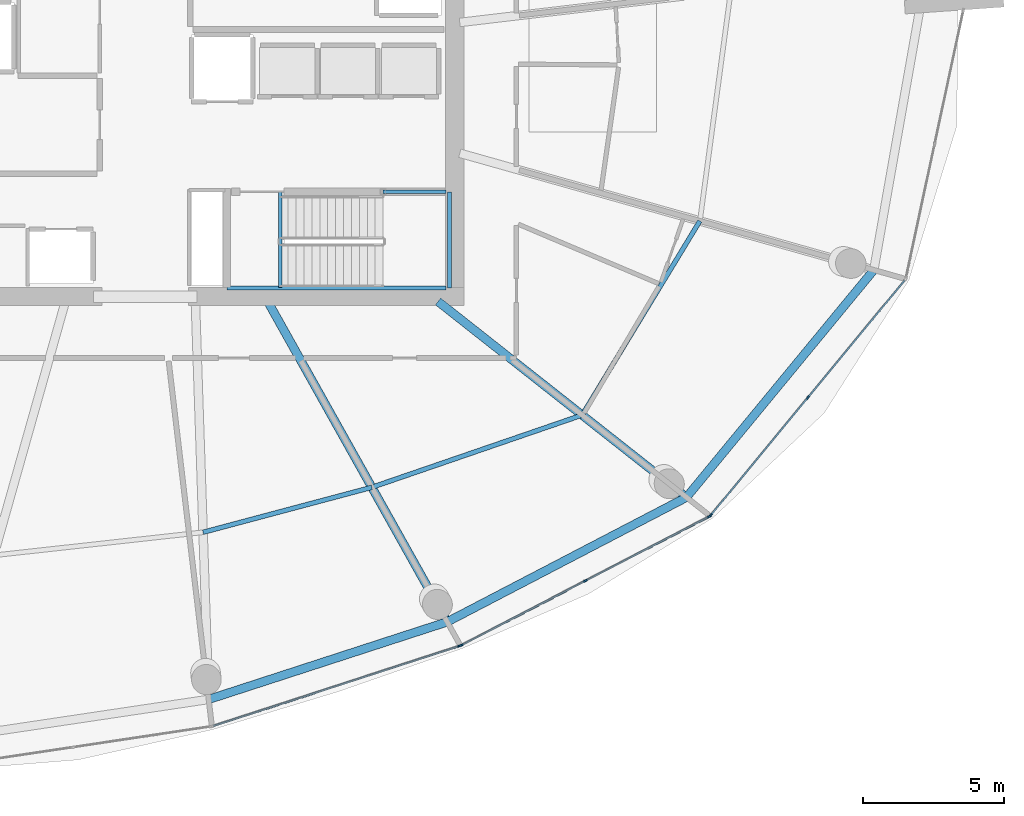
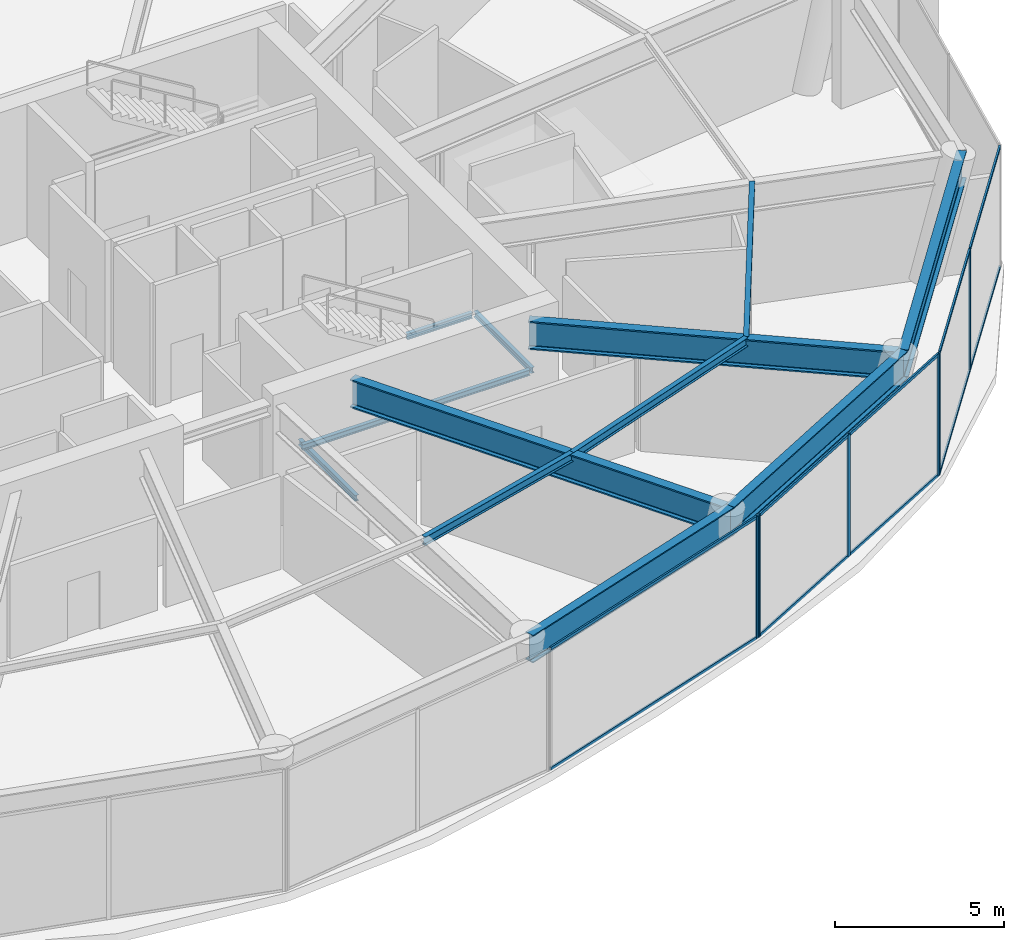
# One storey, part 9 of 22: 16 members, 12 beams, 3 elements without a shape of their own.
"""IFC4 building model written with IfcOpenShell, lengths in metres."""

from ifc_helpers import new_model, si_unit, direction, frame, origin, origin_2d, place, context, subcontext, project, spatial, rectangle, i_section, extrude, material, layer, layer_set, material_profile, profile_set, type_object, element, aggregate, save


model = new_model("IFC4")

# Units and contexts
model_context = context("Model", 3, precision=1e-05, world=origin(), true_north=direction((0.0, 1.0)))
body_context = subcontext(model_context, "Body", "Model", "MODEL_VIEW")
ifc_project = project(units=[si_unit("LENGTHUNIT", "METRE"), si_unit("AREAUNIT", "SQUARE_METRE"), si_unit("VOLUMEUNIT", "CUBIC_METRE"), si_unit("PLANEANGLEUNIT", "RADIAN"), si_unit("MASSUNIT", "GRAM", prefix="KILO")], contexts=[model_context])

# Site, building, storey
site_placement = place(None, origin())
site = spatial("IfcSite", under=ifc_project, at=site_placement, CompositionType="ELEMENT")
building_placement = place(site_placement, origin())
building = spatial("IfcBuilding", under=site, at=building_placement, Name="Kazma Halo Residences", CompositionType="ELEMENT")
storey_placement = place(building_placement, frame((0.0, 0.0, 231.89990234375)))
storey = spatial("IfcBuildingStorey", under=building, at=storey_placement, Name="L58", CompositionType="ELEMENT", Elevation=231.89990234375)

# Beams
ifc_material_1 = material(Name="Steel S355", Category="steel")
ifc_material_profile_1 = material_profile(ifc_material_1, i_section(OverallWidth=0.1650390625, OverallDepth=0.31005859375, WebThickness=0.005859375, FlangeThickness=0.009765625, FilletRadius=0.011962890625, at=origin_2d()), Name="W310x38.7")
ifc_profile_set_1 = profile_set([ifc_material_profile_1], Name="Steel S355")
beam_type_1 = type_object("IfcBeamType", Name="BM-SEC-W310B", PredefinedType="JOIST", material=ifc_profile_set_1)
beam_1_placement = place(storey_placement, frame((50.473388671875, 25.3388671875, 4.2451171875), z_axis=(0.966299872642, 0.257419028304, 0.0), x_axis=(-0.257419028304, 0.966299872642, 0.0)))
element("IfcBeam", 1, at=beam_1_placement, inside=storey, type_object=beam_type_1, Name="L58 circumferential floor joist 12", PredefinedType="JOIST", context=body_context, shape_type="SweptSolid", body=[
    extrude(i_section(OverallWidth=0.1650390625, OverallDepth=0.31005859375, WebThickness=0.005859375, FlangeThickness=0.009765625, FilletRadius=0.011962890625, at=origin_2d()), origin(), (0.0, 0.0, 1.0), 6.175048828125),
])
beam_2_placement = place(storey_placement, frame((56.4404296875, 26.928466796875, 4.2451171875), z_axis=(0.945730736093, 0.324951342218, 0.0), x_axis=(-0.324951342218, 0.945730736093, 0.0)))
element("IfcBeam", 2, at=beam_2_placement, inside=storey, type_object=beam_type_1, Name="L58 circumferential floor joist 13", PredefinedType="JOIST", context=body_context, shape_type="SweptSolid", body=[
    extrude(i_section(OverallWidth=0.1650390625, OverallDepth=0.31005859375, WebThickness=0.005859375, FlangeThickness=0.009765625, FilletRadius=0.011962890625, at=origin_2d()), origin(), (0.0, 0.0, 1.0), 7.86328125),
])
beam_3_placement = place(storey_placement, frame((63.876953125, 29.483642578125, 4.2451171875), z_axis=(0.518737680109, 0.854933458952, 0.0), x_axis=(-0.854933458952, 0.518737680109, 0.0)))
element("IfcBeam", 3, at=beam_3_placement, inside=storey, type_object=beam_type_1, Name="L58 circumferential floor joist 14", PredefinedType="JOIST", context=body_context, shape_type="SweptSolid", body=[
    extrude(i_section(OverallWidth=0.1650390625, OverallDepth=0.31005859375, WebThickness=0.005859375, FlangeThickness=0.009765625, FilletRadius=0.011962890625, at=origin_2d()), origin(), (0.0, 0.0, 1.0), 8.02880859375),
])
ifc_material_profile_2 = material_profile(ifc_material_1, i_section(OverallWidth=0.302001953125, OverallDepth=1.01806640625, WebThickness=0.021484375, FlangeThickness=0.049072265625, FilletRadius=0.028076171875, at=origin_2d()), Name="W1000x443")
ifc_profile_set_2 = profile_set([ifc_material_profile_2], Name="Steel S355")
beam_type_2 = type_object("IfcBeamType", Name="BM-TRANS-W1000A", PredefinedType="BEAM", material=ifc_profile_set_2)
beam_4_placement = place(storey_placement, frame((52.76025390625, 33.5, 3.89111328125), z_axis=(0.488617108357, -0.872498321729, 0.0), x_axis=(0.872498321729, 0.488617108357, 0.0)))
element("IfcBeam", 4, at=beam_4_placement, inside=storey, type_object=beam_type_2, Name="L58 podium radial transfer girder 13", PredefinedType="BEAM", context=body_context, shape_type="SweptSolid", body=[
    extrude(i_section(OverallWidth=0.302001953125, OverallDepth=1.01806640625, WebThickness=0.021484375, FlangeThickness=0.049072265625, FilletRadius=0.028076171875, at=origin_2d()), origin(), (0.0, 0.0, 1.0), 12.986083984375),
])
beam_5_placement = place(storey_placement, frame((58.7822265625, 33.5, 3.89111328125), z_axis=(0.785312225311, -0.61909991825, 0.0), x_axis=(0.61909991825, 0.785312225311, 0.0)))
element("IfcBeam", 5, at=beam_5_placement, inside=storey, type_object=beam_type_2, Name="L58 podium radial transfer girder 14", PredefinedType="BEAM", context=body_context, shape_type="SweptSolid", body=[
    extrude(i_section(OverallWidth=0.302001953125, OverallDepth=1.01806640625, WebThickness=0.021484375, FlangeThickness=0.049072265625, FilletRadius=0.028076171875, at=origin_2d()), origin(), (0.0, 0.0, 1.0), 11.185302734375),
])
ifc_material_profile_3 = material_profile(ifc_material_1, i_section(OverallWidth=0.300048828125, OverallDepth=1.0, WebThickness=0.01904296875, FlangeThickness=0.0400390625, FilletRadius=0.02587890625, at=origin_2d()), Name="W1000x371")
ifc_profile_set_3 = profile_set([ifc_material_profile_3], Name="Steel S355")
beam_type_3 = type_object("IfcBeamType", Name="BM-TRANS-W1000B", PredefinedType="BEAM", material=ifc_profile_set_3)
beam_6_placement = place(storey_placement, frame((50.67138671875, 19.42919921875, 3.900146484375), z_axis=(0.951053893407, 0.309025066679, 0.0), x_axis=(-0.309025066679, 0.951053893407, 0.0)))
element("IfcBeam", 6, at=beam_6_placement, inside=storey, type_object=beam_type_3, Name="L58 perimeter ring beam 12", PredefinedType="BEAM", context=body_context, shape_type="SweptSolid", body=[
    extrude(i_section(OverallWidth=0.300048828125, OverallDepth=1.0, WebThickness=0.01904296875, FlangeThickness=0.0400390625, FilletRadius=0.02587890625, at=origin_2d()), origin(), (0.0, 0.0, 1.0), 8.8681640625),
])
beam_7_placement = place(storey_placement, frame((59.10546875, 22.169677734375, 3.900146484375), z_axis=(0.886961047115, 0.461844238788, 0.0), x_axis=(-0.461844238788, 0.886961047115, 0.0)))
element("IfcBeam", 7, at=beam_7_placement, inside=storey, type_object=beam_type_3, Name="L58 perimeter ring beam 13", PredefinedType="BEAM", context=body_context, shape_type="SweptSolid", body=[
    extrude(i_section(OverallWidth=0.300048828125, OverallDepth=1.0, WebThickness=0.01904296875, FlangeThickness=0.0400390625, FilletRadius=0.02587890625, at=origin_2d()), origin(), (0.0, 0.0, 1.0), 9.5390625),
])
beam_8_placement = place(storey_placement, frame((67.566162109375, 26.5751953125, 3.900146484375), z_axis=(0.636002144225, 0.771687289348, 0.0), x_axis=(-0.771687289348, 0.636002144225, 0.0)))
element("IfcBeam", 8, at=beam_8_placement, inside=storey, type_object=beam_type_3, Name="L58 perimeter ring beam 14", PredefinedType="BEAM", context=body_context, shape_type="SweptSolid", body=[
    extrude(i_section(OverallWidth=0.300048828125, OverallDepth=1.0, WebThickness=0.01904296875, FlangeThickness=0.0400390625, FilletRadius=0.02587890625, at=origin_2d()), origin(), (0.0, 0.0, 1.0), 10.416259765625),
])
ifc_material_profile_4 = material_profile(ifc_material_1, i_section(OverallWidth=0.133056640625, OverallDepth=0.20703125, WebThickness=0.005859375, FlangeThickness=0.00830078125, FilletRadius=0.010009765625, at=origin_2d()), Name="W200x26.6")
ifc_profile_set_4 = profile_set([ifc_material_profile_4], Name="Steel S355")
beam_type_4 = type_object("IfcBeamType", Name="BM-TRIM-W200", PredefinedType="BEAM", material=ifc_profile_set_4)
beam_9_placement = place(storey_placement, frame((53.199951171875, 34.0, -0.429931640625), z_axis=(0.0, 1.0, 0.0), x_axis=(-1.0, 0.0, 0.0)))
element("IfcBeam", 9, at=beam_9_placement, inside=storey, type_object=beam_type_4, Name="L58 ST-03 floor landing support beam", PredefinedType="BEAM", context=body_context, shape_type="SweptSolid", body=[
    extrude(i_section(OverallWidth=0.133056640625, OverallDepth=0.20703125, WebThickness=0.005859375, FlangeThickness=0.00830078125, FilletRadius=0.010009765625, at=origin_2d()), origin(), (0.0, 0.0, 1.0), 3.3798828125),
])
beam_10_placement = place(storey_placement, frame((51.31005859375, 33.97998046875, 2.09521484375), z_axis=(1.0, 0.0, 0.0), x_axis=(0.0, 1.0, 0.0)))
element("IfcBeam", 10, at=beam_10_placement, inside=storey, type_object=beam_type_4, Name="L58 ST-03 landing south wall ledger", PredefinedType="BEAM", context=body_context, shape_type="SweptSolid", body=[
    extrude(i_section(OverallWidth=0.133056640625, OverallDepth=0.20703125, WebThickness=0.005859375, FlangeThickness=0.00830078125, FilletRadius=0.010009765625, at=origin_2d()), origin(), (0.0, 0.0, 1.0), 7.760009765625),
])
beam_11_placement = place(storey_placement, frame((56.840087890625, 37.3798828125, 2.09521484375), z_axis=(1.0, 0.0, 0.0), x_axis=(0.0, 1.0, 0.0)))
element("IfcBeam", 11, at=beam_11_placement, inside=storey, type_object=beam_type_4, Name="L58 ST-03 landing north wall ledger", PredefinedType="BEAM", context=body_context, shape_type="SweptSolid", body=[
    extrude(i_section(OverallWidth=0.133056640625, OverallDepth=0.20703125, WebThickness=0.005859375, FlangeThickness=0.00830078125, FilletRadius=0.010009765625, at=origin_2d()), origin(), (0.0, 0.0, 1.0), 2.22998046875),
])
beam_12_placement = place(storey_placement, frame((59.18994140625, 33.97998046875, 2.09521484375), z_axis=(0.0, 1.0, 0.0), x_axis=(-1.0, 0.0, 0.0)))
element("IfcBeam", 12, at=beam_12_placement, inside=storey, type_object=beam_type_4, Name="L58 ST-03 landing end wall ledger", PredefinedType="BEAM", context=body_context, shape_type="SweptSolid", body=[
    extrude(i_section(OverallWidth=0.133056640625, OverallDepth=0.20703125, WebThickness=0.005859375, FlangeThickness=0.00830078125, FilletRadius=0.010009765625, at=origin_2d()), origin(), (0.0, 0.0, 1.0), 3.39990234375),
])

# Curtain wall, member
ifc_material_2 = material(Name="Aluminium AW-6063 T6 and Triple-Silver Low-E Glass", Category="aluminium")
ifc_layer = layer(ifc_material_2, 0.139892578125)
ifc_layer_set = layer_set([ifc_layer], Name="Aluminium AW-6063 T6 and Triple-Silver Low-E Glass")
curtain_wall_type = type_object("IfcCurtainWallType", Name="CW-SYS-5", PredefinedType="NOTDEFINED", material=ifc_layer_set)
curtain_wall_1_placement = place(storey_placement, origin())
curtain_wall_1 = element("IfcCurtainWall", 13, at=curtain_wall_1_placement, inside=storey, type_object=curtain_wall_type, Name="L58 unitised curtain wall B12", PredefinedType="NOTDEFINED")
ifc_material_3 = material(Name="Aluminium AW-6063 T6", Category="aluminium")
ifc_material_profile_5 = material_profile(ifc_material_3, rectangle(XDim=0.06005859375, YDim=0.139892578125, at=origin_2d()), Name="CWM-60x140")
ifc_profile_set_5 = profile_set([ifc_material_profile_5], Name="Aluminium AW-6063 T6")
member_type_1 = type_object("IfcMemberType", Name="CW-SYS-5-MUL", PredefinedType="MULLION", material=ifc_profile_set_5)
member_1_placement = place(storey_placement, frame((59.546875, 21.3212890625, 0.0), z_axis=(0.0, 0.0, 1.0), x_axis=(-0.309020023006, 0.951055532228, 0.0)))
member_1 = element("IfcMember", 14, at=member_1_placement, type_object=member_type_1, Name="CWS-5 mullion 2", PredefinedType="MULLION", context=body_context, shape_type="SweptSolid", body=[
    extrude(rectangle(XDim=0.06005859375, YDim=0.139892578125, at=origin_2d()), origin(), (0.0, 0.0, 1.0), 4.400146484375),
])

# Curtain wall, members
curtain_wall_2_placement = place(storey_placement, origin())
curtain_wall_2 = element("IfcCurtainWall", 15, at=curtain_wall_2_placement, inside=storey, type_object=curtain_wall_type, Name="L58 unitised curtain wall B13", PredefinedType="NOTDEFINED")
member_2_placement = place(storey_placement, frame((59.60205078125, 21.34423828125, 0.0), z_axis=(0.0, 0.0, 1.0), x_axis=(-0.460917138163, 0.88744317663, 0.0)))
member_2 = element("IfcMember", 16, at=member_2_placement, type_object=member_type_1, Name="CWS-5 mullion 1", PredefinedType="MULLION", context=body_context, shape_type="SweptSolid", body=[
    extrude(rectangle(XDim=0.06005859375, YDim=0.139892578125, at=origin_2d()), origin(), (0.0, 0.0, 1.0), 4.400146484375),
])
member_3_placement = place(storey_placement, frame((63.9892578125, 23.623046875, 0.0), z_axis=(0.0, 0.0, 1.0), x_axis=(-0.460917138163, 0.88744317663, 0.0)))
member_3 = element("IfcMember", 17, at=member_3_placement, type_object=member_type_1, Name="CWS-5 mullion 2", PredefinedType="MULLION", context=body_context, shape_type="SweptSolid", body=[
    extrude(rectangle(XDim=0.06005859375, YDim=0.139892578125, at=origin_2d()), origin(), (0.0, 0.0, 1.0), 4.400146484375),
])
member_4_placement = place(storey_placement, frame((68.37646484375, 25.901611328125, 0.0), z_axis=(0.0, 0.0, 1.0), x_axis=(-0.460917138163, 0.88744317663, 0.0)))
member_4 = element("IfcMember", 18, at=member_4_placement, type_object=member_type_1, Name="CWS-5 mullion 3", PredefinedType="MULLION", context=body_context, shape_type="SweptSolid", body=[
    extrude(rectangle(XDim=0.06005859375, YDim=0.139892578125, at=origin_2d()), origin(), (0.0, 0.0, 1.0), 4.400146484375),
])

curtain_wall_3_placement = place(storey_placement, origin())
curtain_wall_3 = element("IfcCurtainWall", 19, at=curtain_wall_3_placement, inside=storey, type_object=curtain_wall_type, Name="L58 unitised curtain wall B14", PredefinedType="NOTDEFINED")
member_5_placement = place(storey_placement, frame((68.42236328125, 25.9384765625, 0.0), z_axis=(0.0, 0.0, 1.0), x_axis=(-0.77109198952, 0.636723757762, 0.0)))
member_5 = element("IfcMember", 20, at=member_5_placement, type_object=member_type_1, Name="CWS-5 mullion 1", PredefinedType="MULLION", context=body_context, shape_type="SweptSolid", body=[
    extrude(rectangle(XDim=0.06005859375, YDim=0.139892578125, at=origin_2d()), origin(), (0.0, 0.0, 1.0), 4.400146484375),
])
member_6_placement = place(storey_placement, frame((71.862548828125, 30.10498046875, 0.0), z_axis=(0.0, 0.0, 1.0), x_axis=(-0.77109198952, 0.636723757762, 0.0)))
member_6 = element("IfcMember", 21, at=member_6_placement, type_object=member_type_1, Name="CWS-5 mullion 2", PredefinedType="MULLION", context=body_context, shape_type="SweptSolid", body=[
    extrude(rectangle(XDim=0.06005859375, YDim=0.139892578125, at=origin_2d()), origin(), (0.0, 0.0, 1.0), 4.400146484375),
])

# Member
ifc_material_profile_6 = material_profile(ifc_material_3, rectangle(XDim=0.06005859375, YDim=0.10498046875, at=origin_2d()), Name="CWT-60x105")
ifc_profile_set_6 = profile_set([ifc_material_profile_6], Name="Aluminium AW-6063 T6")
member_type_2 = type_object("IfcMemberType", Name="CW-SYS-5-TRN", PredefinedType="USERDEFINED", material=ifc_profile_set_6)
member_7_placement = place(storey_placement, frame((50.841552734375, 18.49267578125, 0.030029296875), z_axis=(0.951056287628, 0.309017698138, 0.0), x_axis=(-0.309017698138, 0.951056287628, 0.0)))
member_7 = element("IfcMember", 22, at=member_7_placement, type_object=member_type_2, Name="CWS-5 transom 1.1", ObjectType="TRANSOM", PredefinedType="USERDEFINED", context=body_context, shape_type="SweptSolid", body=[
    extrude(rectangle(XDim=0.06005859375, YDim=0.10498046875, at=origin_2d()), origin(), (0.0, 0.0, 1.0), 9.12353515625),
])

member_8_placement = place(storey_placement, frame((50.841552734375, 18.49267578125, 4.3701171875), z_axis=(0.951056287628, 0.309017698138, 0.0), x_axis=(-0.309017698138, 0.951056287628, 0.0)))
member_8 = element("IfcMember", 23, at=member_8_placement, type_object=member_type_2, Name="CWS-5 transom 1.2", ObjectType="TRANSOM", PredefinedType="USERDEFINED", context=body_context, shape_type="SweptSolid", body=[
    extrude(rectangle(XDim=0.06005859375, YDim=0.10498046875, at=origin_2d()), origin(), (0.0, 0.0, 1.0), 9.12353515625),
])

aggregate(curtain_wall_1, [member_1, member_7, member_8])

member_9_placement = place(storey_placement, frame((59.628662109375, 21.358154296875, 0.030029296875), z_axis=(0.88744259939, 0.460918249571, 0.0), x_axis=(-0.460918249571, 0.88744259939, 0.0)))
member_9 = element("IfcMember", 24, at=member_9_placement, type_object=member_type_2, Name="CWS-5 transom 1.1", ObjectType="TRANSOM", PredefinedType="USERDEFINED", context=body_context, shape_type="SweptSolid", body=[
    extrude(rectangle(XDim=0.06005859375, YDim=0.10498046875, at=origin_2d()), origin(), (0.0, 0.0, 1.0), 4.8837890625),
])

member_10_placement = place(storey_placement, frame((59.628662109375, 21.358154296875, 4.3701171875), z_axis=(0.88744259939, 0.460918249571, 0.0), x_axis=(-0.460918249571, 0.88744259939, 0.0)))
member_10 = element("IfcMember", 25, at=member_10_placement, type_object=member_type_2, Name="CWS-5 transom 1.2", ObjectType="TRANSOM", PredefinedType="USERDEFINED", context=body_context, shape_type="SweptSolid", body=[
    extrude(rectangle(XDim=0.06005859375, YDim=0.10498046875, at=origin_2d()), origin(), (0.0, 0.0, 1.0), 4.8837890625),
])

member_11_placement = place(storey_placement, frame((64.015869140625, 23.63671875, 0.030029296875), z_axis=(0.88744259939, 0.460918249571, 0.0), x_axis=(-0.460918249571, 0.88744259939, 0.0)))
member_11 = element("IfcMember", 26, at=member_11_placement, type_object=member_type_2, Name="CWS-5 transom 2.1", ObjectType="TRANSOM", PredefinedType="USERDEFINED", context=body_context, shape_type="SweptSolid", body=[
    extrude(rectangle(XDim=0.06005859375, YDim=0.10498046875, at=origin_2d()), origin(), (0.0, 0.0, 1.0), 4.8837890625),
])

member_12_placement = place(storey_placement, frame((64.015869140625, 23.63671875, 4.3701171875), z_axis=(0.88744259939, 0.460918249571, 0.0), x_axis=(-0.460918249571, 0.88744259939, 0.0)))
member_12 = element("IfcMember", 27, at=member_12_placement, type_object=member_type_2, Name="CWS-5 transom 2.2", ObjectType="TRANSOM", PredefinedType="USERDEFINED", context=body_context, shape_type="SweptSolid", body=[
    extrude(rectangle(XDim=0.06005859375, YDim=0.10498046875, at=origin_2d()), origin(), (0.0, 0.0, 1.0), 4.8837890625),
])

aggregate(curtain_wall_2, [member_2, member_3, member_4, member_9, member_10, member_11, member_12])

member_13_placement = place(storey_placement, frame((68.44140625, 25.961669921875, 0.030029296875), z_axis=(0.636717300924, 0.771097321162, 0.0), x_axis=(-0.771097321162, 0.636717300924, 0.0)))
member_13 = element("IfcMember", 28, at=member_13_placement, type_object=member_type_2, Name="CWS-5 transom 1.1", ObjectType="TRANSOM", PredefinedType="USERDEFINED", context=body_context, shape_type="SweptSolid", body=[
    extrude(rectangle(XDim=0.06005859375, YDim=0.10498046875, at=origin_2d()), origin(), (0.0, 0.0, 1.0), 5.34326171875),
])

member_14_placement = place(storey_placement, frame((68.44140625, 25.961669921875, 4.3701171875), z_axis=(0.636717300924, 0.771097321162, 0.0), x_axis=(-0.771097321162, 0.636717300924, 0.0)))
member_14 = element("IfcMember", 29, at=member_14_placement, type_object=member_type_2, Name="CWS-5 transom 1.2", ObjectType="TRANSOM", PredefinedType="USERDEFINED", context=body_context, shape_type="SweptSolid", body=[
    extrude(rectangle(XDim=0.06005859375, YDim=0.10498046875, at=origin_2d()), origin(), (0.0, 0.0, 1.0), 5.34326171875),
])

member_15_placement = place(storey_placement, frame((71.8818359375, 30.1279296875, 0.030029296875), z_axis=(0.636717300924, 0.771097321162, 0.0), x_axis=(-0.771097321162, 0.636717300924, 0.0)))
member_15 = element("IfcMember", 30, at=member_15_placement, type_object=member_type_2, Name="CWS-5 transom 2.1", ObjectType="TRANSOM", PredefinedType="USERDEFINED", context=body_context, shape_type="SweptSolid", body=[
    extrude(rectangle(XDim=0.06005859375, YDim=0.10498046875, at=origin_2d()), origin(), (0.0, 0.0, 1.0), 5.34326171875),
])

member_16_placement = place(storey_placement, frame((71.8818359375, 30.1279296875, 4.3701171875), z_axis=(0.636717300924, 0.771097321162, 0.0), x_axis=(-0.771097321162, 0.636717300924, 0.0)))
member_16 = element("IfcMember", 31, at=member_16_placement, type_object=member_type_2, Name="CWS-5 transom 2.2", ObjectType="TRANSOM", PredefinedType="USERDEFINED", context=body_context, shape_type="SweptSolid", body=[
    extrude(rectangle(XDim=0.06005859375, YDim=0.10498046875, at=origin_2d()), origin(), (0.0, 0.0, 1.0), 5.34326171875),
])

aggregate(curtain_wall_3, [member_5, member_6, member_13, member_14, member_15, member_16])

save(model, "model.ifc")
